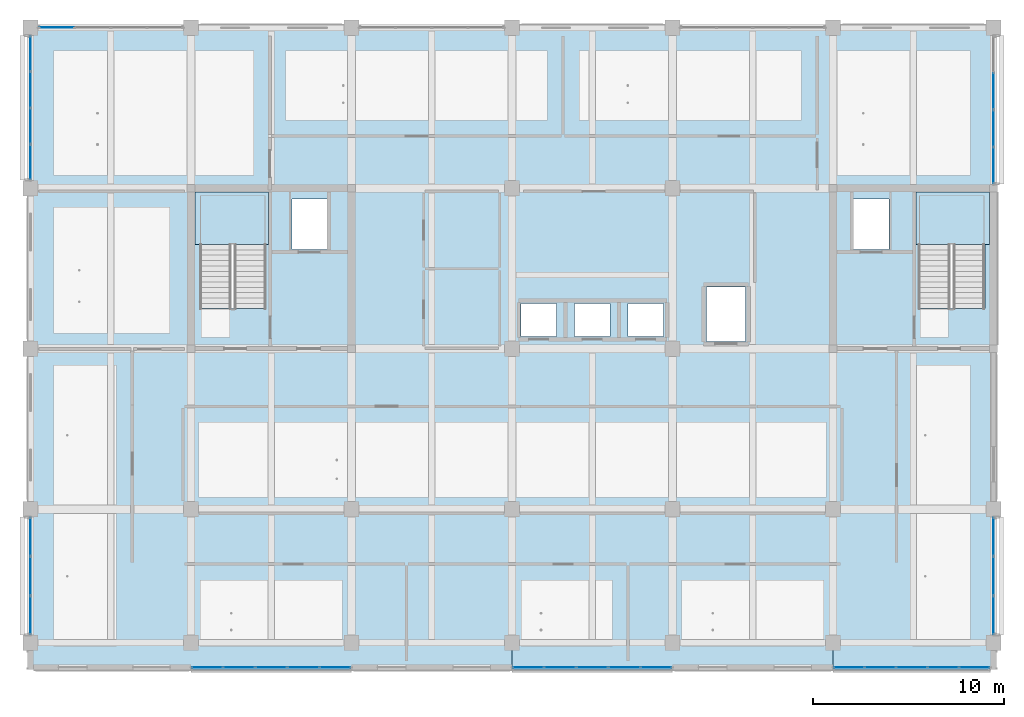
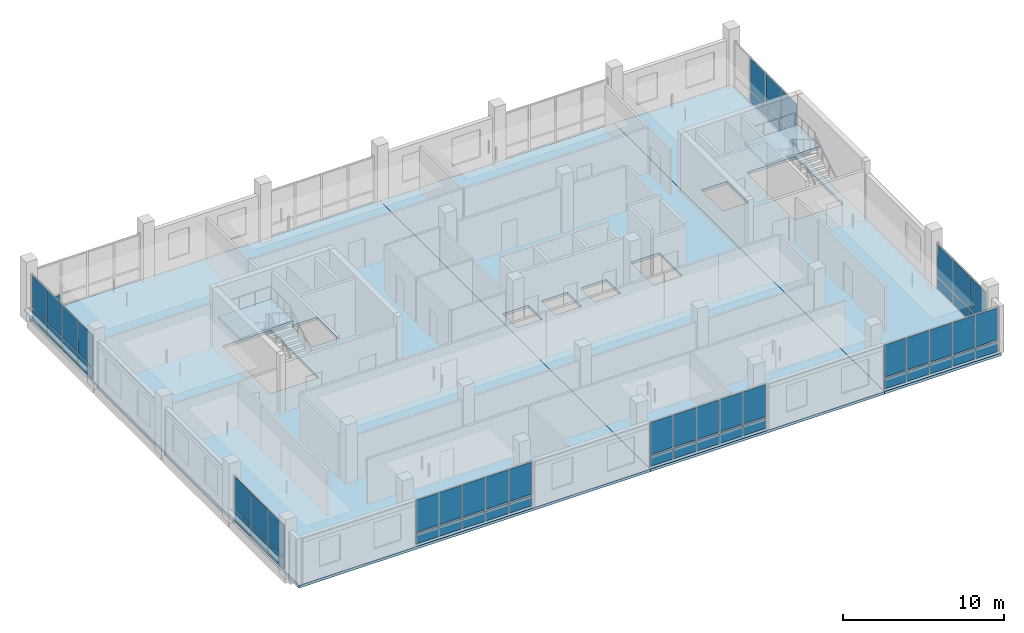
# One storey, part 10 of 34: 57 plates, 5 slabs, 10 elements without a shape of their own.
"""IFC4 building model written with IfcOpenShell, lengths in metres."""

from ifc_helpers import new_model, si_unit, direction, frame, origin, origin_2d, place, context, subcontext, project, spatial, polyline, rectangle, outline, extrude, material, layer, layer_set, type_object, element, aggregate, save


model = new_model("IFC4")

# Units and contexts
model_context = context("Model", 3, precision=1e-05, world=origin(), true_north=direction((0.0, 1.0)))
body_context = subcontext(model_context, "Body", "Model", "MODEL_VIEW")
ifc_project = project(units=[si_unit("LENGTHUNIT", "METRE"), si_unit("AREAUNIT", "SQUARE_METRE"), si_unit("VOLUMEUNIT", "CUBIC_METRE"), si_unit("PLANEANGLEUNIT", "RADIAN"), si_unit("MASSUNIT", "GRAM", prefix="KILO")], contexts=[model_context])

# Site, building, storey
site_placement = place(None, origin())
site = spatial("IfcSite", under=ifc_project, at=site_placement, CompositionType="ELEMENT")
building_placement = place(site_placement, origin())
building = spatial("IfcBuilding", under=site, at=building_placement, Name="Telukmera Botanical Conservatory", CompositionType="ELEMENT")
storey_placement = place(building_placement, frame((0.0, 0.0, 37.5)))
storey = spatial("IfcBuildingStorey", under=building, at=storey_placement, Name="L08", CompositionType="ELEMENT", Elevation=37.5)

# Stair, slab
ifc_material_1 = material(Name="Concrete C40/50", Category="concrete")
stair_type = type_object("IfcStairType", Name="ST-ESC-4500", PredefinedType="HALF_TURN_STAIR", material=ifc_material_1)
stair_1_placement = place(storey_placement, origin())
stair_1 = element("IfcStair", 1, at=stair_1_placement, inside=storey, type_object=stair_type, Name="L08 Protected Escape Stair ST1", PredefinedType="HALF_TURN_STAIR")
ifc_layer_1 = layer(ifc_material_1, 0.199951171875)
ifc_layer_set_1 = layer_set([ifc_layer_1], Name="Concrete C40/50")
slab_type_1 = type_object("IfcSlabType", Name="SL-LAND-200", PredefinedType="LANDING", material=ifc_layer_set_1)
slab_1_placement = place(storey_placement, frame((0.0, 0.0, 2.050048828125)))
slab_1 = element("IfcSlab", 2, at=slab_1_placement, type_object=slab_type_1, Name="ST1 landing 1", PredefinedType="LANDING", context=body_context, shape_type="SweptSolid", body=[
    extrude(outline(polyline([(59.0048828125, 31.449951171875), (62.844970703125, 31.449951171875), (62.844970703125, 34.195068359375), (59.0048828125, 34.195068359375), (59.0048828125, 31.449951171875)])), origin(), (0.0, 0.0, 1.0), 0.199951171875),
])
aggregate(stair_1, [slab_1])

stair_2_placement = place(storey_placement, origin())
stair_2 = element("IfcStair", 3, at=stair_2_placement, inside=storey, type_object=stair_type, Name="L08 Protected Escape Stair ST2", PredefinedType="HALF_TURN_STAIR")
slab_2_placement = place(storey_placement, frame((0.0, 0.0, 2.050048828125)))
slab_2 = element("IfcSlab", 4, at=slab_2_placement, type_object=slab_type_1, Name="ST2 landing 1", PredefinedType="LANDING", context=body_context, shape_type="SweptSolid", body=[
    extrude(outline(polyline([(96.7548828125, 31.449951171875), (100.594970703125, 31.449951171875), (100.594970703125, 34.195068359375), (96.7548828125, 34.195068359375), (96.7548828125, 31.449951171875)])), origin(), (0.0, 0.0, 1.0), 0.199951171875),
])
aggregate(stair_2, [slab_2])

# Slabs
ifc_layer_2 = layer(ifc_material_1, 0.199951171875)
ifc_layer_set_2 = layer_set([ifc_layer_2], Name="Concrete C40/50")
slab_type_2 = type_object("IfcSlabType", Name="Slab_FS20", PredefinedType="FLOOR", material=ifc_layer_set_2)
slab_3_placement = place(storey_placement, frame((0.0, 0.0, -0.199951171875)))
element("IfcSlab", 5, at=slab_3_placement, inside=storey, type_object=slab_type_2, Name="Tower Floor Slab L08 (WEST)", PredefinedType="FLOOR", context=body_context, shape_type="SweptSolid", body=[
    extrude(outline(polyline([(50.39990234375, 9.199951171875), (75.60009765625, 9.199951171875), (75.60009765625, 42.800048828125), (50.39990234375, 42.800048828125), (50.39990234375, 9.199951171875)]), holes=[polyline([(62.72998046875, 28.093017578125), (62.72998046875, 34.050048828125), (59.25, 34.050048828125), (59.25, 28.093017578125), (62.72998046875, 28.093017578125)]), polyline([(64.080078125, 31.179931640625), (65.919921875, 31.179931640625), (65.919921875, 33.820068359375), (64.080078125, 33.820068359375), (64.080078125, 31.179931640625)])]), origin(), (0.0, 0.0, 1.0), 0.199951171875),
])
slab_4_placement = place(storey_placement, frame((0.0, 0.0, -0.199951171875)))
element("IfcSlab", 6, at=slab_4_placement, inside=storey, type_object=slab_type_2, Name="Tower Floor Slab L08 (CENT)", PredefinedType="FLOOR", context=body_context, shape_type="SweptSolid", body=[
    extrude(outline(polyline([(75.60009765625, 9.199951171875), (92.39990234375, 9.199951171875), (92.39990234375, 42.800048828125), (75.60009765625, 42.800048828125), (75.60009765625, 9.199951171875)]), holes=[polyline([(85.780029296875, 26.3798828125), (87.820068359375, 26.3798828125), (87.820068359375, 29.219970703125), (85.780029296875, 29.219970703125), (85.780029296875, 26.3798828125)]), polyline([(76.080078125, 26.6298828125), (77.919921875, 26.6298828125), (77.919921875, 28.3701171875), (76.080078125, 28.3701171875), (76.080078125, 26.6298828125)]), polyline([(78.8798828125, 26.6298828125), (80.719970703125, 26.6298828125), (80.719970703125, 28.3701171875), (78.8798828125, 28.3701171875), (78.8798828125, 26.6298828125)]), polyline([(81.679931640625, 26.6298828125), (83.52001953125, 26.6298828125), (83.52001953125, 28.3701171875), (81.679931640625, 28.3701171875), (81.679931640625, 26.6298828125)])]), origin(), (0.0, 0.0, 1.0), 0.199951171875),
])
slab_5_placement = place(storey_placement, frame((0.0, 0.0, -0.199951171875)))
element("IfcSlab", 7, at=slab_5_placement, inside=storey, type_object=slab_type_2, Name="Tower Floor Slab L08 (EAST)", PredefinedType="FLOOR", context=body_context, shape_type="SweptSolid", body=[
    extrude(outline(polyline([(92.39990234375, 9.199951171875), (100.800048828125, 9.199951171875), (100.800048828125, 42.800048828125), (92.39990234375, 42.800048828125), (92.39990234375, 9.199951171875)]), holes=[polyline([(100.35009765625, 28.093017578125), (100.35009765625, 34.050048828125), (96.8701171875, 34.050048828125), (96.8701171875, 28.093017578125), (100.35009765625, 28.093017578125)]), polyline([(93.47998046875, 31.179931640625), (95.320068359375, 31.179931640625), (95.320068359375, 33.820068359375), (93.47998046875, 33.820068359375), (93.47998046875, 31.179931640625)])]), origin(), (0.0, 0.0, 1.0), 0.199951171875),
])

# Curtain wall, plates
ifc_material_2 = material(Name="Anodised aluminium 6063-T6", Category="aluminium")
ifc_layer_3 = layer(ifc_material_2, 0.179931640625)
ifc_layer_set_3 = layer_set([ifc_layer_3], Name="Anodised aluminium 6063-T6")
curtain_wall_type = type_object("IfcCurtainWallType", Name="Tower Research Laboratory Unitised Curtain Wall", PredefinedType="USERDEFINED", material=ifc_layer_set_3)
curtain_wall_1_placement = place(storey_placement, origin())
curtain_wall_1 = element("IfcCurtainWall", 8, at=curtain_wall_1_placement, inside=storey, type_object=curtain_wall_type, Name="Unitised Curtain Wall CW15 V4:L08:S2", ObjectType="UNITISED CURTAIN WALL", PredefinedType="USERDEFINED")
ifc_material_3 = material(Name="Spectrally selective low-E double glazing", Category="glass")
ifc_layer_4 = layer(ifc_material_3, 0.028076171875)
ifc_layer_set_4 = layer_set([ifc_layer_4], Name="Spectrally selective low-E double glazing")
plate_type = type_object("IfcPlateType", Name="Spectrally Selective Vision Double Glazing Panel 28", PredefinedType="CURTAIN_PANEL", material=ifc_layer_set_4)
plate_1_placement = place(storey_placement, frame((59.656494140625, 9.320068359375, 0.10986328125), z_axis=(0.0, 0.0, 1.0), x_axis=(1.0, 0.0, 0.0)))
plate_1 = element("IfcPlate", 9, at=plate_1_placement, type_object=plate_type, Name="CW15 panel 1.1", PredefinedType="CURTAIN_PANEL", context=body_context, shape_type="SweptSolid", body=[
    extrude(rectangle(XDim=1.589111328125, YDim=0.028076171875, at=origin_2d()), origin(), (0.0, 0.0, 1.0), 0.784912109375),
])
plate_2_placement = place(storey_placement, frame((59.656494140625, 9.320068359375, 1.0048828125), z_axis=(0.0, 0.0, 1.0), x_axis=(1.0, 0.0, 0.0)))
plate_2 = element("IfcPlate", 10, at=plate_2_placement, type_object=plate_type, Name="CW15 panel 1.2", PredefinedType="CURTAIN_PANEL", context=body_context, shape_type="SweptSolid", body=[
    extrude(rectangle(XDim=1.589111328125, YDim=0.028076171875, at=origin_2d()), origin(), (0.0, 0.0, 1.0), 2.43505859375),
])
plate_3_placement = place(storey_placement, frame((61.32080078125, 9.320068359375, 0.10986328125), z_axis=(0.0, 0.0, 1.0), x_axis=(1.0, 0.0, 0.0)))
plate_3 = element("IfcPlate", 11, at=plate_3_placement, type_object=plate_type, Name="CW15 panel 2.1", PredefinedType="CURTAIN_PANEL", context=body_context, shape_type="SweptSolid", body=[
    extrude(rectangle(XDim=1.619140625, YDim=0.028076171875, at=origin_2d()), origin(), (0.0, 0.0, 1.0), 0.784912109375),
])
plate_4_placement = place(storey_placement, frame((61.32080078125, 9.320068359375, 1.0048828125), z_axis=(0.0, 0.0, 1.0), x_axis=(1.0, 0.0, 0.0)))
plate_4 = element("IfcPlate", 12, at=plate_4_placement, type_object=plate_type, Name="CW15 panel 2.2", PredefinedType="CURTAIN_PANEL", context=body_context, shape_type="SweptSolid", body=[
    extrude(rectangle(XDim=1.619140625, YDim=0.028076171875, at=origin_2d()), origin(), (0.0, 0.0, 1.0), 2.43505859375),
])
plate_5_placement = place(storey_placement, frame((63.0, 9.320068359375, 0.10986328125), z_axis=(0.0, 0.0, 1.0), x_axis=(1.0, 0.0, 0.0)))
plate_5 = element("IfcPlate", 13, at=plate_5_placement, type_object=plate_type, Name="CW15 panel 3.1", PredefinedType="CURTAIN_PANEL", context=body_context, shape_type="SweptSolid", body=[
    extrude(rectangle(XDim=1.619140625, YDim=0.028076171875, at=origin_2d()), origin(), (0.0, 0.0, 1.0), 0.784912109375),
])
plate_6_placement = place(storey_placement, frame((63.0, 9.320068359375, 1.0048828125), z_axis=(0.0, 0.0, 1.0), x_axis=(1.0, 0.0, 0.0)))
plate_6 = element("IfcPlate", 14, at=plate_6_placement, type_object=plate_type, Name="CW15 panel 3.2", PredefinedType="CURTAIN_PANEL", context=body_context, shape_type="SweptSolid", body=[
    extrude(rectangle(XDim=1.619140625, YDim=0.028076171875, at=origin_2d()), origin(), (0.0, 0.0, 1.0), 2.43505859375),
])
plate_7_placement = place(storey_placement, frame((64.67919921875, 9.320068359375, 0.10986328125), z_axis=(0.0, 0.0, 1.0), x_axis=(1.0, 0.0, 0.0)))
plate_7 = element("IfcPlate", 15, at=plate_7_placement, type_object=plate_type, Name="CW15 panel 4.1", PredefinedType="CURTAIN_PANEL", context=body_context, shape_type="SweptSolid", body=[
    extrude(rectangle(XDim=1.619140625, YDim=0.028076171875, at=origin_2d()), origin(), (0.0, 0.0, 1.0), 0.784912109375),
])
plate_8_placement = place(storey_placement, frame((64.67919921875, 9.320068359375, 1.0048828125), z_axis=(0.0, 0.0, 1.0), x_axis=(1.0, 0.0, 0.0)))
plate_8 = element("IfcPlate", 16, at=plate_8_placement, type_object=plate_type, Name="CW15 panel 4.2", PredefinedType="CURTAIN_PANEL", context=body_context, shape_type="SweptSolid", body=[
    extrude(rectangle(XDim=1.619140625, YDim=0.028076171875, at=origin_2d()), origin(), (0.0, 0.0, 1.0), 2.43505859375),
])
plate_9_placement = place(storey_placement, frame((66.343505859375, 9.320068359375, 0.10986328125), z_axis=(0.0, 0.0, 1.0), x_axis=(1.0, 0.0, 0.0)))
plate_9 = element("IfcPlate", 17, at=plate_9_placement, type_object=plate_type, Name="CW15 panel 5.1", PredefinedType="CURTAIN_PANEL", context=body_context, shape_type="SweptSolid", body=[
    extrude(rectangle(XDim=1.589111328125, YDim=0.028076171875, at=origin_2d()), origin(), (0.0, 0.0, 1.0), 0.784912109375),
])
plate_10_placement = place(storey_placement, frame((66.343505859375, 9.320068359375, 1.0048828125), z_axis=(0.0, 0.0, 1.0), x_axis=(1.0, 0.0, 0.0)))
plate_10 = element("IfcPlate", 18, at=plate_10_placement, type_object=plate_type, Name="CW15 panel 5.2", PredefinedType="CURTAIN_PANEL", context=body_context, shape_type="SweptSolid", body=[
    extrude(rectangle(XDim=1.589111328125, YDim=0.028076171875, at=origin_2d()), origin(), (0.0, 0.0, 1.0), 2.43505859375),
])
aggregate(curtain_wall_1, [plate_1, plate_2, plate_3, plate_4, plate_5, plate_6, plate_7, plate_8, plate_9, plate_10])

curtain_wall_2_placement = place(storey_placement, origin())
curtain_wall_2 = element("IfcCurtainWall", 19, at=curtain_wall_2_placement, inside=storey, type_object=curtain_wall_type, Name="Unitised Curtain Wall CW15 V4:L08:S4", ObjectType="UNITISED CURTAIN WALL", PredefinedType="USERDEFINED")
plate_11_placement = place(storey_placement, frame((76.45654296875, 9.320068359375, 0.10986328125), z_axis=(0.0, 0.0, 1.0), x_axis=(1.0, 0.0, 0.0)))
plate_11 = element("IfcPlate", 20, at=plate_11_placement, type_object=plate_type, Name="CW15 panel 1.1", PredefinedType="CURTAIN_PANEL", context=body_context, shape_type="SweptSolid", body=[
    extrude(rectangle(XDim=1.589111328125, YDim=0.028076171875, at=origin_2d()), origin(), (0.0, 0.0, 1.0), 0.784912109375),
])
plate_12_placement = place(storey_placement, frame((76.45654296875, 9.320068359375, 1.0048828125), z_axis=(0.0, 0.0, 1.0), x_axis=(1.0, 0.0, 0.0)))
plate_12 = element("IfcPlate", 21, at=plate_12_placement, type_object=plate_type, Name="CW15 panel 1.2", PredefinedType="CURTAIN_PANEL", context=body_context, shape_type="SweptSolid", body=[
    extrude(rectangle(XDim=1.589111328125, YDim=0.028076171875, at=origin_2d()), origin(), (0.0, 0.0, 1.0), 2.43505859375),
])
plate_13_placement = place(storey_placement, frame((78.120849609375, 9.320068359375, 0.10986328125), z_axis=(0.0, 0.0, 1.0), x_axis=(1.0, 0.0, 0.0)))
plate_13 = element("IfcPlate", 22, at=plate_13_placement, type_object=plate_type, Name="CW15 panel 2.1", PredefinedType="CURTAIN_PANEL", context=body_context, shape_type="SweptSolid", body=[
    extrude(rectangle(XDim=1.619140625, YDim=0.028076171875, at=origin_2d()), origin(), (0.0, 0.0, 1.0), 0.784912109375),
])
plate_14_placement = place(storey_placement, frame((78.120849609375, 9.320068359375, 1.0048828125), z_axis=(0.0, 0.0, 1.0), x_axis=(1.0, 0.0, 0.0)))
plate_14 = element("IfcPlate", 23, at=plate_14_placement, type_object=plate_type, Name="CW15 panel 2.2", PredefinedType="CURTAIN_PANEL", context=body_context, shape_type="SweptSolid", body=[
    extrude(rectangle(XDim=1.619140625, YDim=0.028076171875, at=origin_2d()), origin(), (0.0, 0.0, 1.0), 2.43505859375),
])
plate_15_placement = place(storey_placement, frame((79.800048828125, 9.320068359375, 0.10986328125), z_axis=(0.0, 0.0, 1.0), x_axis=(1.0, 0.0, 0.0)))
plate_15 = element("IfcPlate", 24, at=plate_15_placement, type_object=plate_type, Name="CW15 panel 3.1", PredefinedType="CURTAIN_PANEL", context=body_context, shape_type="SweptSolid", body=[
    extrude(rectangle(XDim=1.619140625, YDim=0.028076171875, at=origin_2d()), origin(), (0.0, 0.0, 1.0), 0.784912109375),
])
plate_16_placement = place(storey_placement, frame((79.800048828125, 9.320068359375, 1.0048828125), z_axis=(0.0, 0.0, 1.0), x_axis=(1.0, 0.0, 0.0)))
plate_16 = element("IfcPlate", 25, at=plate_16_placement, type_object=plate_type, Name="CW15 panel 3.2", PredefinedType="CURTAIN_PANEL", context=body_context, shape_type="SweptSolid", body=[
    extrude(rectangle(XDim=1.619140625, YDim=0.028076171875, at=origin_2d()), origin(), (0.0, 0.0, 1.0), 2.43505859375),
])
plate_17_placement = place(storey_placement, frame((81.479248046875, 9.320068359375, 0.10986328125), z_axis=(0.0, 0.0, 1.0), x_axis=(1.0, 0.0, 0.0)))
plate_17 = element("IfcPlate", 26, at=plate_17_placement, type_object=plate_type, Name="CW15 panel 4.1", PredefinedType="CURTAIN_PANEL", context=body_context, shape_type="SweptSolid", body=[
    extrude(rectangle(XDim=1.619140625, YDim=0.028076171875, at=origin_2d()), origin(), (0.0, 0.0, 1.0), 0.784912109375),
])
plate_18_placement = place(storey_placement, frame((81.479248046875, 9.320068359375, 1.0048828125), z_axis=(0.0, 0.0, 1.0), x_axis=(1.0, 0.0, 0.0)))
plate_18 = element("IfcPlate", 27, at=plate_18_placement, type_object=plate_type, Name="CW15 panel 4.2", PredefinedType="CURTAIN_PANEL", context=body_context, shape_type="SweptSolid", body=[
    extrude(rectangle(XDim=1.619140625, YDim=0.028076171875, at=origin_2d()), origin(), (0.0, 0.0, 1.0), 2.43505859375),
])
plate_19_placement = place(storey_placement, frame((83.143310546875, 9.320068359375, 0.10986328125), z_axis=(0.0, 0.0, 1.0), x_axis=(1.0, 0.0, 0.0)))
plate_19 = element("IfcPlate", 28, at=plate_19_placement, type_object=plate_type, Name="CW15 panel 5.1", PredefinedType="CURTAIN_PANEL", context=body_context, shape_type="SweptSolid", body=[
    extrude(rectangle(XDim=1.589111328125, YDim=0.028076171875, at=origin_2d()), origin(), (0.0, 0.0, 1.0), 0.784912109375),
])
plate_20_placement = place(storey_placement, frame((83.143310546875, 9.320068359375, 1.0048828125), z_axis=(0.0, 0.0, 1.0), x_axis=(1.0, 0.0, 0.0)))
plate_20 = element("IfcPlate", 29, at=plate_20_placement, type_object=plate_type, Name="CW15 panel 5.2", PredefinedType="CURTAIN_PANEL", context=body_context, shape_type="SweptSolid", body=[
    extrude(rectangle(XDim=1.589111328125, YDim=0.028076171875, at=origin_2d()), origin(), (0.0, 0.0, 1.0), 2.43505859375),
])
aggregate(curtain_wall_2, [plate_11, plate_12, plate_13, plate_14, plate_15, plate_16, plate_17, plate_18, plate_19, plate_20])

curtain_wall_3_placement = place(storey_placement, origin())
curtain_wall_3 = element("IfcCurtainWall", 30, at=curtain_wall_3_placement, inside=storey, type_object=curtain_wall_type, Name="Unitised Curtain Wall CW15 V4:L08:S6", ObjectType="UNITISED CURTAIN WALL", PredefinedType="USERDEFINED")
plate_21_placement = place(storey_placement, frame((93.24169921875, 9.320068359375, 0.10986328125), z_axis=(0.0, 0.0, 1.0), x_axis=(1.0, 0.0, 0.0)))
plate_21 = element("IfcPlate", 31, at=plate_21_placement, type_object=plate_type, Name="CW15 panel 1.1", PredefinedType="CURTAIN_PANEL", context=body_context, shape_type="SweptSolid", body=[
    extrude(rectangle(XDim=1.55908203125, YDim=0.028076171875, at=origin_2d()), origin(), (0.0, 0.0, 1.0), 0.784912109375),
])
plate_22_placement = place(storey_placement, frame((93.24169921875, 9.320068359375, 1.0048828125), z_axis=(0.0, 0.0, 1.0), x_axis=(1.0, 0.0, 0.0)))
plate_22 = element("IfcPlate", 32, at=plate_22_placement, type_object=plate_type, Name="CW15 panel 1.2", PredefinedType="CURTAIN_PANEL", context=body_context, shape_type="SweptSolid", body=[
    extrude(rectangle(XDim=1.55908203125, YDim=0.028076171875, at=origin_2d()), origin(), (0.0, 0.0, 1.0), 2.43505859375),
])
plate_23_placement = place(storey_placement, frame((94.875732421875, 9.320068359375, 0.10986328125), z_axis=(0.0, 0.0, 1.0), x_axis=(1.0, 0.0, 0.0)))
plate_23 = element("IfcPlate", 33, at=plate_23_placement, type_object=plate_type, Name="CW15 panel 2.1", PredefinedType="CURTAIN_PANEL", context=body_context, shape_type="SweptSolid", body=[
    extrude(rectangle(XDim=1.589111328125, YDim=0.028076171875, at=origin_2d()), origin(), (0.0, 0.0, 1.0), 0.784912109375),
])
plate_24_placement = place(storey_placement, frame((94.875732421875, 9.320068359375, 1.0048828125), z_axis=(0.0, 0.0, 1.0), x_axis=(1.0, 0.0, 0.0)))
plate_24 = element("IfcPlate", 34, at=plate_24_placement, type_object=plate_type, Name="CW15 panel 2.2", PredefinedType="CURTAIN_PANEL", context=body_context, shape_type="SweptSolid", body=[
    extrude(rectangle(XDim=1.589111328125, YDim=0.028076171875, at=origin_2d()), origin(), (0.0, 0.0, 1.0), 2.43505859375),
])
plate_25_placement = place(storey_placement, frame((96.52490234375, 9.320068359375, 0.10986328125), z_axis=(0.0, 0.0, 1.0), x_axis=(1.0, 0.0, 0.0)))
plate_25 = element("IfcPlate", 35, at=plate_25_placement, type_object=plate_type, Name="CW15 panel 3.1", PredefinedType="CURTAIN_PANEL", context=body_context, shape_type="SweptSolid", body=[
    extrude(rectangle(XDim=1.589111328125, YDim=0.028076171875, at=origin_2d()), origin(), (0.0, 0.0, 1.0), 0.784912109375),
])
plate_26_placement = place(storey_placement, frame((96.52490234375, 9.320068359375, 1.0048828125), z_axis=(0.0, 0.0, 1.0), x_axis=(1.0, 0.0, 0.0)))
plate_26 = element("IfcPlate", 36, at=plate_26_placement, type_object=plate_type, Name="CW15 panel 3.2", PredefinedType="CURTAIN_PANEL", context=body_context, shape_type="SweptSolid", body=[
    extrude(rectangle(XDim=1.589111328125, YDim=0.028076171875, at=origin_2d()), origin(), (0.0, 0.0, 1.0), 2.43505859375),
])
plate_27_placement = place(storey_placement, frame((98.17431640625, 9.320068359375, 0.10986328125), z_axis=(0.0, 0.0, 1.0), x_axis=(1.0, 0.0, 0.0)))
plate_27 = element("IfcPlate", 37, at=plate_27_placement, type_object=plate_type, Name="CW15 panel 4.1", PredefinedType="CURTAIN_PANEL", context=body_context, shape_type="SweptSolid", body=[
    extrude(rectangle(XDim=1.589111328125, YDim=0.028076171875, at=origin_2d()), origin(), (0.0, 0.0, 1.0), 0.784912109375),
])
plate_28_placement = place(storey_placement, frame((98.17431640625, 9.320068359375, 1.0048828125), z_axis=(0.0, 0.0, 1.0), x_axis=(1.0, 0.0, 0.0)))
plate_28 = element("IfcPlate", 38, at=plate_28_placement, type_object=plate_type, Name="CW15 panel 4.2", PredefinedType="CURTAIN_PANEL", context=body_context, shape_type="SweptSolid", body=[
    extrude(rectangle(XDim=1.589111328125, YDim=0.028076171875, at=origin_2d()), origin(), (0.0, 0.0, 1.0), 2.43505859375),
])
plate_29_placement = place(storey_placement, frame((99.808349609375, 9.320068359375, 0.10986328125), z_axis=(0.0, 0.0, 1.0), x_axis=(1.0, 0.0, 0.0)))
plate_29 = element("IfcPlate", 39, at=plate_29_placement, type_object=plate_type, Name="CW15 panel 5.1", PredefinedType="CURTAIN_PANEL", context=body_context, shape_type="SweptSolid", body=[
    extrude(rectangle(XDim=1.55908203125, YDim=0.028076171875, at=origin_2d()), origin(), (0.0, 0.0, 1.0), 0.784912109375),
])
plate_30_placement = place(storey_placement, frame((99.808349609375, 9.320068359375, 1.0048828125), z_axis=(0.0, 0.0, 1.0), x_axis=(1.0, 0.0, 0.0)))
plate_30 = element("IfcPlate", 40, at=plate_30_placement, type_object=plate_type, Name="CW15 panel 5.2", PredefinedType="CURTAIN_PANEL", context=body_context, shape_type="SweptSolid", body=[
    extrude(rectangle(XDim=1.55908203125, YDim=0.028076171875, at=origin_2d()), origin(), (0.0, 0.0, 1.0), 2.43505859375),
])
aggregate(curtain_wall_3, [plate_21, plate_22, plate_23, plate_24, plate_25, plate_26, plate_27, plate_28, plate_29, plate_30])

# Curtain wall, plate
curtain_wall_4_placement = place(storey_placement, origin())
curtain_wall_4 = element("IfcCurtainWall", 41, at=curtain_wall_4_placement, inside=storey, type_object=curtain_wall_type, Name="Unitised Curtain Wall CW15 V4:L08:N1", ObjectType="UNITISED CURTAIN WALL", PredefinedType="USERDEFINED")
plate_31_placement = place(storey_placement, frame((51.7666015625, 42.800048828125, 0.10986328125), z_axis=(0.0, 0.0, 1.0), x_axis=(1.0, 0.0, 0.0)))
plate_31 = element("IfcPlate", 42, at=plate_31_placement, type_object=plate_type, Name="CW15 panel 1.1", PredefinedType="CURTAIN_PANEL", context=body_context, shape_type="SweptSolid", body=[
    extrude(rectangle(XDim=1.80908203125, YDim=0.028076171875, at=origin_2d()), origin(), (0.0, 0.0, 1.0), 0.784912109375),
])
aggregate(curtain_wall_4, [plate_31])

# Curtain wall, plates
curtain_wall_5_placement = place(storey_placement, origin())
curtain_wall_5 = element("IfcCurtainWall", 43, at=curtain_wall_5_placement, inside=storey, type_object=curtain_wall_type, Name="Unitised Curtain Wall CW15 V4:L08:W1", ObjectType="UNITISED CURTAIN WALL", PredefinedType="USERDEFINED")
plate_32_placement = place(storey_placement, frame((50.39990234375, 12.049560546875, 0.10986328125), z_axis=(0.0, 0.0, 1.0), x_axis=(0.0, 1.0, 0.0)))
plate_32 = element("IfcPlate", 44, at=plate_32_placement, type_object=plate_type, Name="CW15 panel 1.1", PredefinedType="CURTAIN_PANEL", context=body_context, shape_type="SweptSolid", body=[
    extrude(rectangle(XDim=1.975341796875, YDim=0.028076171875, at=origin_2d()), origin(), (0.0, 0.0, 1.0), 0.784912109375),
])
plate_33_placement = place(storey_placement, frame((50.39990234375, 12.049560546875, 1.0048828125), z_axis=(0.0, 0.0, 1.0), x_axis=(0.0, 1.0, 0.0)))
plate_33 = element("IfcPlate", 45, at=plate_33_placement, type_object=plate_type, Name="CW15 panel 1.2", PredefinedType="CURTAIN_PANEL", context=body_context, shape_type="SweptSolid", body=[
    extrude(rectangle(XDim=1.975341796875, YDim=0.028076171875, at=origin_2d()), origin(), (0.0, 0.0, 1.0), 2.43505859375),
])
plate_34_placement = place(storey_placement, frame((50.39990234375, 14.10009765625, 0.10986328125), z_axis=(0.0, 0.0, 1.0), x_axis=(0.0, 1.0, 0.0)))
plate_34 = element("IfcPlate", 46, at=plate_34_placement, type_object=plate_type, Name="CW15 panel 2.1", PredefinedType="CURTAIN_PANEL", context=body_context, shape_type="SweptSolid", body=[
    extrude(rectangle(XDim=2.00537109375, YDim=0.028076171875, at=origin_2d()), origin(), (0.0, 0.0, 1.0), 0.784912109375),
])
plate_35_placement = place(storey_placement, frame((50.39990234375, 14.10009765625, 1.0048828125), z_axis=(0.0, 0.0, 1.0), x_axis=(0.0, 1.0, 0.0)))
plate_35 = element("IfcPlate", 47, at=plate_35_placement, type_object=plate_type, Name="CW15 panel 2.2", PredefinedType="CURTAIN_PANEL", context=body_context, shape_type="SweptSolid", body=[
    extrude(rectangle(XDim=2.00537109375, YDim=0.028076171875, at=origin_2d()), origin(), (0.0, 0.0, 1.0), 2.43505859375),
])
plate_36_placement = place(storey_placement, frame((50.39990234375, 16.150390625, 0.10986328125), z_axis=(0.0, 0.0, 1.0), x_axis=(0.0, 1.0, 0.0)))
plate_36 = element("IfcPlate", 48, at=plate_36_placement, type_object=plate_type, Name="CW15 panel 3.1", PredefinedType="CURTAIN_PANEL", context=body_context, shape_type="SweptSolid", body=[
    extrude(rectangle(XDim=1.975341796875, YDim=0.028076171875, at=origin_2d()), origin(), (0.0, 0.0, 1.0), 0.784912109375),
])
plate_37_placement = place(storey_placement, frame((50.39990234375, 16.150390625, 1.0048828125), z_axis=(0.0, 0.0, 1.0), x_axis=(0.0, 1.0, 0.0)))
plate_37 = element("IfcPlate", 49, at=plate_37_placement, type_object=plate_type, Name="CW15 panel 3.2", PredefinedType="CURTAIN_PANEL", context=body_context, shape_type="SweptSolid", body=[
    extrude(rectangle(XDim=1.975341796875, YDim=0.028076171875, at=origin_2d()), origin(), (0.0, 0.0, 1.0), 2.43505859375),
])
aggregate(curtain_wall_5, [plate_32, plate_33, plate_34, plate_35, plate_36, plate_37])

curtain_wall_6_placement = place(storey_placement, origin())
curtain_wall_6 = element("IfcCurtainWall", 50, at=curtain_wall_6_placement, inside=storey, type_object=curtain_wall_type, Name="Unitised Curtain Wall CW15 V4:L08:E1", ObjectType="UNITISED CURTAIN WALL", PredefinedType="USERDEFINED")
plate_38_placement = place(storey_placement, frame((100.800048828125, 12.049560546875, 0.10986328125), z_axis=(0.0, 0.0, 1.0), x_axis=(0.0, 1.0, 0.0)))
plate_38 = element("IfcPlate", 51, at=plate_38_placement, type_object=plate_type, Name="CW15 panel 1.1", PredefinedType="CURTAIN_PANEL", context=body_context, shape_type="SweptSolid", body=[
    extrude(rectangle(XDim=1.975341796875, YDim=0.028076171875, at=origin_2d()), origin(), (0.0, 0.0, 1.0), 0.784912109375),
])
plate_39_placement = place(storey_placement, frame((100.800048828125, 12.049560546875, 1.0048828125), z_axis=(0.0, 0.0, 1.0), x_axis=(0.0, 1.0, 0.0)))
plate_39 = element("IfcPlate", 52, at=plate_39_placement, type_object=plate_type, Name="CW15 panel 1.2", PredefinedType="CURTAIN_PANEL", context=body_context, shape_type="SweptSolid", body=[
    extrude(rectangle(XDim=1.975341796875, YDim=0.028076171875, at=origin_2d()), origin(), (0.0, 0.0, 1.0), 2.43505859375),
])
plate_40_placement = place(storey_placement, frame((100.800048828125, 14.10009765625, 0.10986328125), z_axis=(0.0, 0.0, 1.0), x_axis=(0.0, 1.0, 0.0)))
plate_40 = element("IfcPlate", 53, at=plate_40_placement, type_object=plate_type, Name="CW15 panel 2.1", PredefinedType="CURTAIN_PANEL", context=body_context, shape_type="SweptSolid", body=[
    extrude(rectangle(XDim=2.00537109375, YDim=0.028076171875, at=origin_2d()), origin(), (0.0, 0.0, 1.0), 0.784912109375),
])
plate_41_placement = place(storey_placement, frame((100.800048828125, 14.10009765625, 1.0048828125), z_axis=(0.0, 0.0, 1.0), x_axis=(0.0, 1.0, 0.0)))
plate_41 = element("IfcPlate", 54, at=plate_41_placement, type_object=plate_type, Name="CW15 panel 2.2", PredefinedType="CURTAIN_PANEL", context=body_context, shape_type="SweptSolid", body=[
    extrude(rectangle(XDim=2.00537109375, YDim=0.028076171875, at=origin_2d()), origin(), (0.0, 0.0, 1.0), 2.43505859375),
])
plate_42_placement = place(storey_placement, frame((100.800048828125, 16.150390625, 0.10986328125), z_axis=(0.0, 0.0, 1.0), x_axis=(0.0, 1.0, 0.0)))
plate_42 = element("IfcPlate", 55, at=plate_42_placement, type_object=plate_type, Name="CW15 panel 3.1", PredefinedType="CURTAIN_PANEL", context=body_context, shape_type="SweptSolid", body=[
    extrude(rectangle(XDim=1.975341796875, YDim=0.028076171875, at=origin_2d()), origin(), (0.0, 0.0, 1.0), 0.784912109375),
])
plate_43_placement = place(storey_placement, frame((100.800048828125, 16.150390625, 1.0048828125), z_axis=(0.0, 0.0, 1.0), x_axis=(0.0, 1.0, 0.0)))
plate_43 = element("IfcPlate", 56, at=plate_43_placement, type_object=plate_type, Name="CW15 panel 3.2", PredefinedType="CURTAIN_PANEL", context=body_context, shape_type="SweptSolid", body=[
    extrude(rectangle(XDim=1.975341796875, YDim=0.028076171875, at=origin_2d()), origin(), (0.0, 0.0, 1.0), 2.43505859375),
])
aggregate(curtain_wall_6, [plate_38, plate_39, plate_40, plate_41, plate_42, plate_43])

curtain_wall_7_placement = place(storey_placement, origin())
curtain_wall_7 = element("IfcCurtainWall", 57, at=curtain_wall_7_placement, inside=storey, type_object=curtain_wall_type, Name="Unitised Curtain Wall CW15 V4:L08:W4", ObjectType="UNITISED CURTAIN WALL", PredefinedType="USERDEFINED")
plate_44_placement = place(storey_placement, frame((50.39990234375, 35.7666015625, 0.10986328125), z_axis=(0.0, 0.0, 1.0), x_axis=(0.0, 1.0, 0.0)))
plate_44 = element("IfcPlate", 58, at=plate_44_placement, type_object=plate_type, Name="CW15 panel 1.1", PredefinedType="CURTAIN_PANEL", context=body_context, shape_type="SweptSolid", body=[
    extrude(rectangle(XDim=1.80908203125, YDim=0.028076171875, at=origin_2d()), origin(), (0.0, 0.0, 1.0), 0.784912109375),
])
plate_45_placement = place(storey_placement, frame((50.39990234375, 35.7666015625, 1.0048828125), z_axis=(0.0, 0.0, 1.0), x_axis=(0.0, 1.0, 0.0)))
plate_45 = element("IfcPlate", 59, at=plate_45_placement, type_object=plate_type, Name="CW15 panel 1.2", PredefinedType="CURTAIN_PANEL", context=body_context, shape_type="SweptSolid", body=[
    extrude(rectangle(XDim=1.80908203125, YDim=0.028076171875, at=origin_2d()), origin(), (0.0, 0.0, 1.0), 2.43505859375),
])
plate_46_placement = place(storey_placement, frame((50.39990234375, 37.650390625, 0.10986328125), z_axis=(0.0, 0.0, 1.0), x_axis=(0.0, 1.0, 0.0)))
plate_46 = element("IfcPlate", 60, at=plate_46_placement, type_object=plate_type, Name="CW15 panel 2.1", PredefinedType="CURTAIN_PANEL", context=body_context, shape_type="SweptSolid", body=[
    extrude(rectangle(XDim=1.839111328125, YDim=0.028076171875, at=origin_2d()), origin(), (0.0, 0.0, 1.0), 0.784912109375),
])
plate_47_placement = place(storey_placement, frame((50.39990234375, 37.650390625, 1.0048828125), z_axis=(0.0, 0.0, 1.0), x_axis=(0.0, 1.0, 0.0)))
plate_47 = element("IfcPlate", 61, at=plate_47_placement, type_object=plate_type, Name="CW15 panel 2.2", PredefinedType="CURTAIN_PANEL", context=body_context, shape_type="SweptSolid", body=[
    extrude(rectangle(XDim=1.839111328125, YDim=0.028076171875, at=origin_2d()), origin(), (0.0, 0.0, 1.0), 2.43505859375),
])
plate_48_placement = place(storey_placement, frame((50.39990234375, 39.549560546875, 0.10986328125), z_axis=(0.0, 0.0, 1.0), x_axis=(0.0, 1.0, 0.0)))
plate_48 = element("IfcPlate", 62, at=plate_48_placement, type_object=plate_type, Name="CW15 panel 3.1", PredefinedType="CURTAIN_PANEL", context=body_context, shape_type="SweptSolid", body=[
    extrude(rectangle(XDim=1.839111328125, YDim=0.028076171875, at=origin_2d()), origin(), (0.0, 0.0, 1.0), 0.784912109375),
])
plate_49_placement = place(storey_placement, frame((50.39990234375, 39.549560546875, 1.0048828125), z_axis=(0.0, 0.0, 1.0), x_axis=(0.0, 1.0, 0.0)))
plate_49 = element("IfcPlate", 63, at=plate_49_placement, type_object=plate_type, Name="CW15 panel 3.2", PredefinedType="CURTAIN_PANEL", context=body_context, shape_type="SweptSolid", body=[
    extrude(rectangle(XDim=1.839111328125, YDim=0.028076171875, at=origin_2d()), origin(), (0.0, 0.0, 1.0), 2.43505859375),
])
plate_50_placement = place(storey_placement, frame((50.39990234375, 41.43359375, 0.10986328125), z_axis=(0.0, 0.0, 1.0), x_axis=(0.0, 1.0, 0.0)))
plate_50 = element("IfcPlate", 64, at=plate_50_placement, type_object=plate_type, Name="CW15 panel 4.1", PredefinedType="CURTAIN_PANEL", context=body_context, shape_type="SweptSolid", body=[
    extrude(rectangle(XDim=1.80908203125, YDim=0.028076171875, at=origin_2d()), origin(), (0.0, 0.0, 1.0), 0.784912109375),
])
plate_51_placement = place(storey_placement, frame((50.39990234375, 41.43359375, 1.0048828125), z_axis=(0.0, 0.0, 1.0), x_axis=(0.0, 1.0, 0.0)))
plate_51 = element("IfcPlate", 65, at=plate_51_placement, type_object=plate_type, Name="CW15 panel 4.2", PredefinedType="CURTAIN_PANEL", context=body_context, shape_type="SweptSolid", body=[
    extrude(rectangle(XDim=1.80908203125, YDim=0.028076171875, at=origin_2d()), origin(), (0.0, 0.0, 1.0), 2.43505859375),
])
aggregate(curtain_wall_7, [plate_44, plate_45, plate_46, plate_47, plate_48, plate_49, plate_50, plate_51])

curtain_wall_8_placement = place(storey_placement, origin())
curtain_wall_8 = element("IfcCurtainWall", 66, at=curtain_wall_8_placement, inside=storey, type_object=curtain_wall_type, Name="Unitised Curtain Wall CW15 V4:L08:E4", ObjectType="UNITISED CURTAIN WALL", PredefinedType="USERDEFINED")
plate_52_placement = place(storey_placement, frame((100.800048828125, 35.591552734375, 0.10986328125), z_axis=(0.0, 0.0, 1.0), x_axis=(0.0, 1.0, 0.0)))
plate_52 = element("IfcPlate", 67, at=plate_52_placement, type_object=plate_type, Name="CW15 panel 1.1", PredefinedType="CURTAIN_PANEL", context=body_context, shape_type="SweptSolid", body=[
    extrude(rectangle(XDim=1.85888671875, YDim=0.028076171875, at=origin_2d()), origin(), (0.0, 0.0, 1.0), 0.784912109375),
])
plate_53_placement = place(storey_placement, frame((100.800048828125, 35.591552734375, 1.0048828125), z_axis=(0.0, 0.0, 1.0), x_axis=(0.0, 1.0, 0.0)))
plate_53 = element("IfcPlate", 68, at=plate_53_placement, type_object=plate_type, Name="CW15 panel 1.2", PredefinedType="CURTAIN_PANEL", context=body_context, shape_type="SweptSolid", body=[
    extrude(rectangle(XDim=1.85888671875, YDim=0.028076171875, at=origin_2d()), origin(), (0.0, 0.0, 1.0), 2.43505859375),
])
plate_54_placement = place(storey_placement, frame((100.800048828125, 37.525390625, 0.10986328125), z_axis=(0.0, 0.0, 1.0), x_axis=(0.0, 1.0, 0.0)))
plate_54 = element("IfcPlate", 69, at=plate_54_placement, type_object=plate_type, Name="CW15 panel 2.1", PredefinedType="CURTAIN_PANEL", context=body_context, shape_type="SweptSolid", body=[
    extrude(rectangle(XDim=1.888916015625, YDim=0.028076171875, at=origin_2d()), origin(), (0.0, 0.0, 1.0), 0.784912109375),
])
plate_55_placement = place(storey_placement, frame((100.800048828125, 37.525390625, 1.0048828125), z_axis=(0.0, 0.0, 1.0), x_axis=(0.0, 1.0, 0.0)))
plate_55 = element("IfcPlate", 70, at=plate_55_placement, type_object=plate_type, Name="CW15 panel 2.2", PredefinedType="CURTAIN_PANEL", context=body_context, shape_type="SweptSolid", body=[
    extrude(rectangle(XDim=1.888916015625, YDim=0.028076171875, at=origin_2d()), origin(), (0.0, 0.0, 1.0), 2.43505859375),
])
plate_56_placement = place(storey_placement, frame((100.800048828125, 39.474609375, 0.10986328125), z_axis=(0.0, 0.0, 1.0), x_axis=(0.0, 1.0, 0.0)))
plate_56 = element("IfcPlate", 71, at=plate_56_placement, type_object=plate_type, Name="CW15 panel 3.1", PredefinedType="CURTAIN_PANEL", context=body_context, shape_type="SweptSolid", body=[
    extrude(rectangle(XDim=1.888916015625, YDim=0.028076171875, at=origin_2d()), origin(), (0.0, 0.0, 1.0), 0.784912109375),
])
plate_57_placement = place(storey_placement, frame((100.800048828125, 39.474609375, 1.0048828125), z_axis=(0.0, 0.0, 1.0), x_axis=(0.0, 1.0, 0.0)))
plate_57 = element("IfcPlate", 72, at=plate_57_placement, type_object=plate_type, Name="CW15 panel 3.2", PredefinedType="CURTAIN_PANEL", context=body_context, shape_type="SweptSolid", body=[
    extrude(rectangle(XDim=1.888916015625, YDim=0.028076171875, at=origin_2d()), origin(), (0.0, 0.0, 1.0), 2.43505859375),
])
aggregate(curtain_wall_8, [plate_52, plate_53, plate_54, plate_55, plate_56, plate_57])

save(model, "model.ifc")
